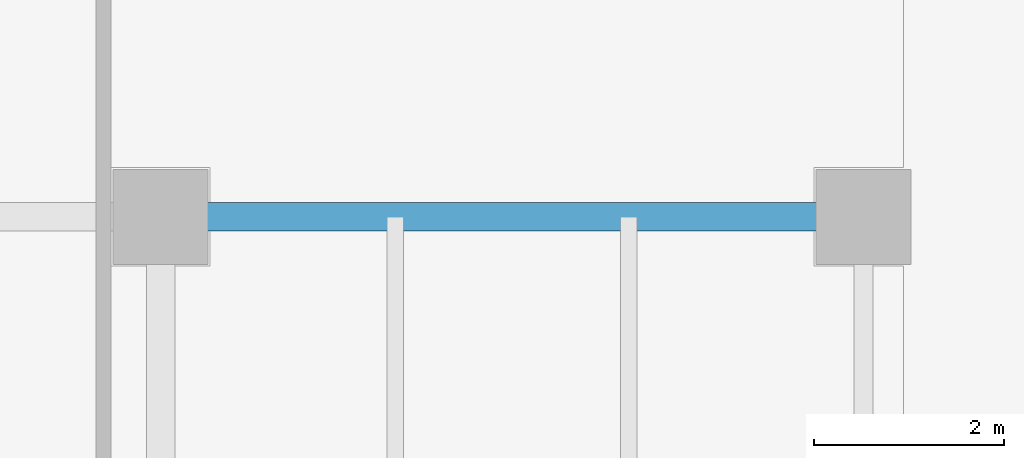
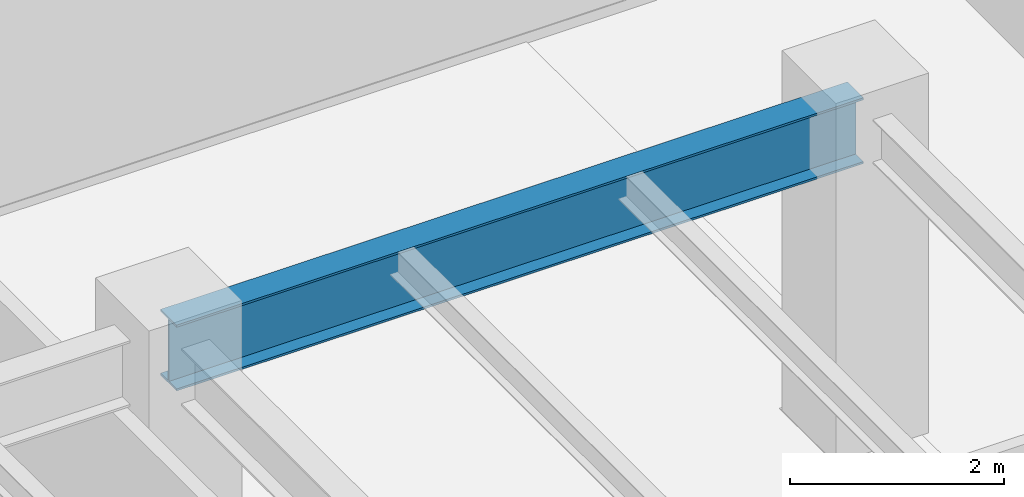
# One storey, part 21 of 37: 1 beam.
"""IFC4 building model written with IfcOpenShell, lengths in metres."""

from ifc_helpers import new_model, si_unit, direction, frame, origin, origin_2d, place, context, subcontext, project, spatial, i_section, extrude, source, transform, mapped, material, material_profile, profile_set, type_object, type_shapes, element, save


model = new_model("IFC4")

# Units and contexts
model_context = context("Model", 3, precision=1e-05, world=origin(), true_north=direction((0.0, 1.0)))
body_context = subcontext(model_context, "Body", "Model", "MODEL_VIEW")
ifc_project = project(units=[si_unit("LENGTHUNIT", "METRE"), si_unit("AREAUNIT", "SQUARE_METRE"), si_unit("VOLUMEUNIT", "CUBIC_METRE"), si_unit("PLANEANGLEUNIT", "RADIAN"), si_unit("MASSUNIT", "GRAM", prefix="KILO")], contexts=[model_context])

# Site, building, storey
site_placement = place(None, origin())
site = spatial("IfcSite", under=ifc_project, at=site_placement, CompositionType="ELEMENT")
building_placement = place(site_placement, origin())
building = spatial("IfcBuilding", under=site, at=building_placement, Name="Haelvirn Gate Laboratories", CompositionType="ELEMENT")
storey_placement = place(building_placement, frame((0.0, 0.0, 78.5)))
storey = spatial("IfcBuildingStorey", under=building, at=storey_placement, Name="L19", CompositionType="ELEMENT", Elevation=78.5)

# Beam
ifc_material = material(Name="Steel SM355", Category="steel")
ifc_material_profile = material_profile(ifc_material, i_section(OverallWidth=0.300048828125, OverallDepth=0.75, WebThickness=0.013916015625, FlangeThickness=0.02392578125, at=origin_2d()), Name="H-750x300x14x24")
ifc_profile_set = profile_set([ifc_material_profile], Name="Steel SM355")
beam_type = type_object("IfcBeamType", Name="BM-G-750", PredefinedType="BEAM", material=ifc_profile_set)
shared_shape = source(origin(), body_context, "Body", "SweptSolid", [
    extrude(i_section(OverallWidth=0.300048828125, OverallDepth=0.75, WebThickness=0.013916015625, FlangeThickness=0.02392578125, at=origin_2d()), origin(), (0.0, 0.0, 1.0), 7.39990234375),
])
type_shapes(beam_type, [shared_shape])
beam_placement = place(storey_placement, frame((60.0, 41.60009765625, 3.405029296875), z_axis=(1.0, 0.0, 0.0), x_axis=(0.0, 1.0, 0.0)))
element("IfcBeam", 1, at=beam_placement, inside=storey, type_object=beam_type, Name="L19 Primary Girder Y41.6 (60.0-67.4)", PredefinedType="BEAM", context=body_context, shape_type="MappedRepresentation", body=[
    mapped(shared_shape, transform((0.0, 0.0, 0.0), scale=1.0)),
])

save(model, "model.ifc")
